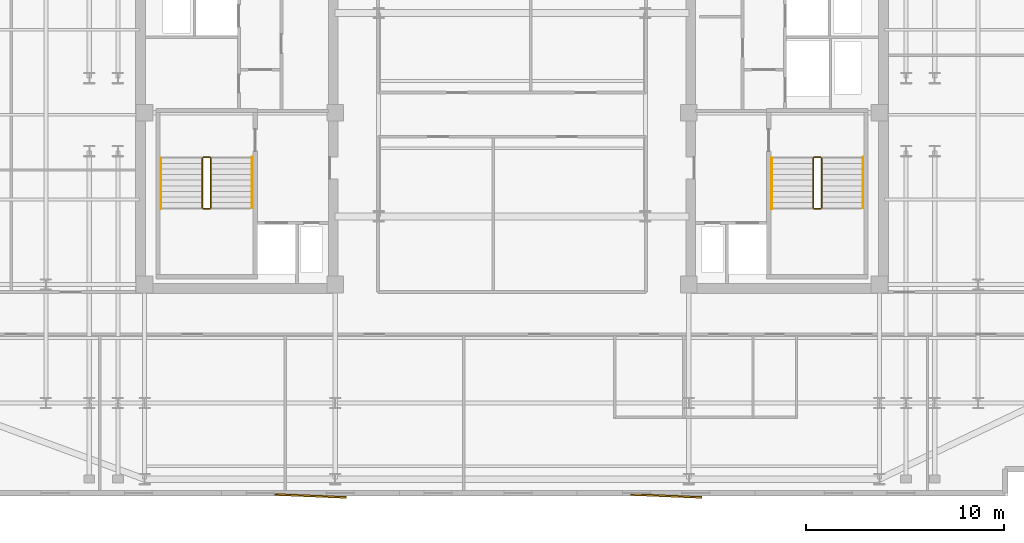
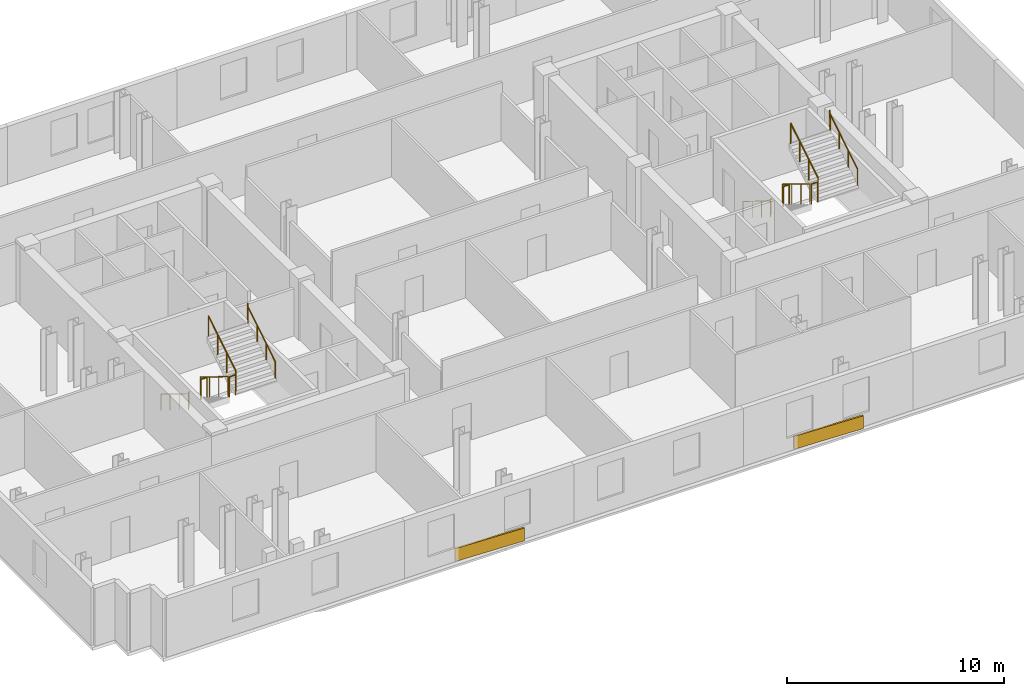
# One storey, part 8 of 9: 12 railings, 2 coverings.
"""IFC4 building model written with IfcOpenShell, lengths in metres."""

from ifc_helpers import new_model, si_unit, direction, frame, origin, origin_2d, place, context, subcontext, project, spatial, rectangle, circle, extrude, material, layer, layer_set, type_object, element, save


model = new_model("IFC4")

# Units and contexts
model_context = context("Model", 3, precision=1e-05, world=origin(), true_north=direction((0.0, 1.0)))
body_context = subcontext(model_context, "Body", "Model", "MODEL_VIEW")
ifc_project = project(units=[si_unit("LENGTHUNIT", "METRE"), si_unit("AREAUNIT", "SQUARE_METRE"), si_unit("VOLUMEUNIT", "CUBIC_METRE"), si_unit("PLANEANGLEUNIT", "RADIAN"), si_unit("MASSUNIT", "GRAM", prefix="KILO")], contexts=[model_context])

# Site, building, storey
site_placement = place(None, origin())
site = spatial("IfcSite", under=ifc_project, at=site_placement, CompositionType="ELEMENT")
building_placement = place(site_placement, origin())
building = spatial("IfcBuilding", under=site, at=building_placement, Name="Velakula Bourse", CompositionType="ELEMENT")
storey_placement = place(building_placement, frame((0.0, 0.0, 225.75)))
storey = spatial("IfcBuildingStorey", under=building, at=storey_placement, Name="L61", CompositionType="ELEMENT", Elevation=225.75)

# Coverings
ifc_material_1 = material(Name="Red kilned clay facing brick masonry", Category="masonry")
ifc_layer = layer(ifc_material_1, 0.090087890625, Name="Red kilned clay facing brick masonry", Category="masonry")
ifc_layer_set = layer_set([ifc_layer], Name="Red kilned clay facing brick masonry")
covering_type = type_object("IfcCoveringType", Name="COV-BRK-FOLD-90", PredefinedType="CLADDING", material=ifc_layer_set)
for number, where, z_axis, x_axis, name in (
    (1, (-10.199951171875, -19.300048828125, 0.0), (0.0, 0.0, 1.0), (0.999158993058, -0.041003738744, 0.0), "L61 Folded Brick Facade Cladding Panel S-B2"),
    (2, (7.800048828125, -19.300048828125, 0.0), (0.0, 0.0, 1.0), (0.999158993058, -0.041003738744, 0.0), "L61 Folded Brick Facade Cladding Panel S-B4"),
):
    element("IfcCovering", number, at=place(storey_placement, frame(where, z_axis=z_axis, x_axis=x_axis)), inside=storey, type_object=covering_type, Name=name, PredefinedType="CLADDING", context=body_context, shape_type="SweptSolid", body=[
        extrude(rectangle(XDim=3.60009765625, YDim=0.090087890625, at=origin_2d()), origin(), (0.0, 0.0, 1.0), 0.719970703125),
    ])

# Railings
ifc_material_2 = material(Name="Brushed grade 316 stainless steel", Category="steel")
railing_type_1 = type_object("IfcRailingType", Name="RLG-STAIR-GUARD-1150", PredefinedType="BALUSTRADE", material=ifc_material_2)
railing_1_placement = place(storey_placement, frame((-15.672119140625, -2.199951171875, 0.172607421875)))
element("IfcRailing", 3, at=railing_1_placement, inside=storey, type_object=railing_type_1, Name="L61 ST-W1 stair guard 1", PredefinedType="BALUSTRADE", context=body_context, shape_type="SweptSolid", body=[
    extrude(circle(Radius=0.02490234375, at=origin_2d()), frame((0.0, 0.0, 1.125), z_axis=(0.0, -0.851400495292, 0.524516154772), x_axis=(1.0, 0.0, 0.0)), (0.0, 0.0, 1.0), 2.9599609375),
    extrude(circle(Radius=0.02099609375, at=origin_2d()), origin(), (0.0, 0.0, 1.0), 1.099853515625),
    extrude(circle(Radius=0.02099609375, at=origin_2d()), frame((0.0, -0.840087890625, 0.517578125)), (0.0, 0.0, 1.0), 1.099853515625),
    extrude(circle(Radius=0.02099609375, at=origin_2d()), frame((0.0, -1.679931640625, 1.034912109375)), (0.0, 0.0, 1.0), 1.099853515625),
    extrude(circle(Radius=0.02099609375, at=origin_2d()), frame((0.0, -2.52001953125, 1.552490234375)), (0.0, 0.0, 1.0), 1.099853515625),
])
railing_2_placement = place(storey_placement, frame((-15.6220703125, -4.77001953125, 1.72509765625)))
element("IfcRailing", 4, at=railing_2_placement, inside=storey, type_object=railing_type_1, Name="L61 ST-W1 stair guard 2", PredefinedType="BALUSTRADE", context=body_context, shape_type="SweptSolid", body=[
    extrude(circle(Radius=0.02490234375, at=origin_2d()), frame((0.0, 0.0, 1.125), z_axis=(1.0, 0.0, 0.0), x_axis=(0.0, 1.0, 0.0)), (0.0, 0.0, 1.0), 0.323974609375),
    extrude(circle(Radius=0.02099609375, at=origin_2d()), origin(), (0.0, 0.0, 1.0), 1.099853515625),
    extrude(circle(Radius=0.02099609375, at=origin_2d()), frame((0.323974609375, 0.0, 0.0)), (0.0, 0.0, 1.0), 1.099853515625),
])
railing_3_placement = place(storey_placement, frame((-15.248046875, -4.719970703125, 1.8974609375)))
element("IfcRailing", 5, at=railing_3_placement, inside=storey, type_object=railing_type_1, Name="L61 ST-W1 stair guard 3", PredefinedType="BALUSTRADE", context=body_context, shape_type="SweptSolid", body=[
    extrude(circle(Radius=0.02490234375, at=origin_2d()), frame((0.0, 0.0, 1.125), z_axis=(0.0, 0.851400495292, 0.524516154772), x_axis=(-1.0, 0.0, 0.0)), (0.0, 0.0, 1.0), 2.9599609375),
    extrude(circle(Radius=0.02099609375, at=origin_2d()), origin(), (0.0, 0.0, 1.0), 1.099853515625),
    extrude(circle(Radius=0.02099609375, at=origin_2d()), frame((0.0, 0.840087890625, 0.517578125)), (0.0, 0.0, 1.0), 1.099853515625),
    extrude(circle(Radius=0.02099609375, at=origin_2d()), frame((0.0, 1.679931640625, 1.034912109375)), (0.0, 0.0, 1.0), 1.099853515625),
    extrude(circle(Radius=0.02099609375, at=origin_2d()), frame((0.0, 2.52001953125, 1.552490234375)), (0.0, 0.0, 1.0), 1.099853515625),
])
railing_4_placement = place(storey_placement, frame((-15.6220703125, -2.14990234375, 0.0)))
element("IfcRailing", 6, at=railing_4_placement, inside=storey, type_object=railing_type_1, Name="L61 ST-W1 stair guard 4", PredefinedType="BALUSTRADE", context=body_context, shape_type="SweptSolid", body=[
    extrude(circle(Radius=0.02490234375, at=origin_2d()), frame((0.0, 0.0, 1.125), z_axis=(1.0, 0.0, 0.0), x_axis=(0.0, 1.0, 0.0)), (0.0, 0.0, 1.0), 0.323974609375),
    extrude(circle(Radius=0.02099609375, at=origin_2d()), origin(), (0.0, 0.0, 1.0), 1.099853515625),
    extrude(circle(Radius=0.02099609375, at=origin_2d()), frame((0.323974609375, 0.0, 0.0)), (0.0, 0.0, 1.0), 1.099853515625),
])
railing_5_placement = place(storey_placement, frame((15.248046875, -2.199951171875, 0.172607421875)))
element("IfcRailing", 7, at=railing_5_placement, inside=storey, type_object=railing_type_1, Name="L61 ST-E1 stair guard 1", PredefinedType="BALUSTRADE", context=body_context, shape_type="SweptSolid", body=[
    extrude(circle(Radius=0.02490234375, at=origin_2d()), frame((0.0, 0.0, 1.125), z_axis=(0.0, -0.851400495292, 0.524516154772), x_axis=(1.0, 0.0, 0.0)), (0.0, 0.0, 1.0), 2.9599609375),
    extrude(circle(Radius=0.02099609375, at=origin_2d()), origin(), (0.0, 0.0, 1.0), 1.099853515625),
    extrude(circle(Radius=0.02099609375, at=origin_2d()), frame((0.0, -0.840087890625, 0.517578125)), (0.0, 0.0, 1.0), 1.099853515625),
    extrude(circle(Radius=0.02099609375, at=origin_2d()), frame((0.0, -1.679931640625, 1.034912109375)), (0.0, 0.0, 1.0), 1.099853515625),
    extrude(circle(Radius=0.02099609375, at=origin_2d()), frame((0.0, -2.52001953125, 1.552490234375)), (0.0, 0.0, 1.0), 1.099853515625),
])
railing_6_placement = place(storey_placement, frame((15.298095703125, -4.77001953125, 1.72509765625)))
element("IfcRailing", 8, at=railing_6_placement, inside=storey, type_object=railing_type_1, Name="L61 ST-E1 stair guard 2", PredefinedType="BALUSTRADE", context=body_context, shape_type="SweptSolid", body=[
    extrude(circle(Radius=0.02490234375, at=origin_2d()), frame((0.0, 0.0, 1.125), z_axis=(1.0, 0.0, 0.0), x_axis=(0.0, 1.0, 0.0)), (0.0, 0.0, 1.0), 0.323974609375),
    extrude(circle(Radius=0.02099609375, at=origin_2d()), origin(), (0.0, 0.0, 1.0), 1.099853515625),
    extrude(circle(Radius=0.02099609375, at=origin_2d()), frame((0.323974609375, 0.0, 0.0)), (0.0, 0.0, 1.0), 1.099853515625),
])
railing_7_placement = place(storey_placement, frame((15.672119140625, -4.719970703125, 1.8974609375)))
element("IfcRailing", 9, at=railing_7_placement, inside=storey, type_object=railing_type_1, Name="L61 ST-E1 stair guard 3", PredefinedType="BALUSTRADE", context=body_context, shape_type="SweptSolid", body=[
    extrude(circle(Radius=0.02490234375, at=origin_2d()), frame((0.0, 0.0, 1.125), z_axis=(0.0, 0.851400495292, 0.524516154772), x_axis=(-1.0, 0.0, 0.0)), (0.0, 0.0, 1.0), 2.9599609375),
    extrude(circle(Radius=0.02099609375, at=origin_2d()), origin(), (0.0, 0.0, 1.0), 1.099853515625),
    extrude(circle(Radius=0.02099609375, at=origin_2d()), frame((0.0, 0.840087890625, 0.517578125)), (0.0, 0.0, 1.0), 1.099853515625),
    extrude(circle(Radius=0.02099609375, at=origin_2d()), frame((0.0, 1.679931640625, 1.034912109375)), (0.0, 0.0, 1.0), 1.099853515625),
    extrude(circle(Radius=0.02099609375, at=origin_2d()), frame((0.0, 2.52001953125, 1.552490234375)), (0.0, 0.0, 1.0), 1.099853515625),
])
railing_8_placement = place(storey_placement, frame((15.298095703125, -2.14990234375, 0.0)))
element("IfcRailing", 10, at=railing_8_placement, inside=storey, type_object=railing_type_1, Name="L61 ST-E1 stair guard 4", PredefinedType="BALUSTRADE", context=body_context, shape_type="SweptSolid", body=[
    extrude(circle(Radius=0.02490234375, at=origin_2d()), frame((0.0, 0.0, 1.125), z_axis=(1.0, 0.0, 0.0), x_axis=(0.0, 1.0, 0.0)), (0.0, 0.0, 1.0), 0.323974609375),
    extrude(circle(Radius=0.02099609375, at=origin_2d()), origin(), (0.0, 0.0, 1.0), 1.099853515625),
    extrude(circle(Radius=0.02099609375, at=origin_2d()), frame((0.323974609375, 0.0, 0.0)), (0.0, 0.0, 1.0), 1.099853515625),
])
railing_type_2 = type_object("IfcRailingType", Name="RLG-STAIR-HAND-920", PredefinedType="HANDRAIL", material=ifc_material_2)
railing_9_placement = place(storey_placement, frame((-17.77001953125, -2.199951171875, 0.172607421875)))
element("IfcRailing", 11, at=railing_9_placement, inside=storey, type_object=railing_type_2, Name="L61 ST-W1 stair handrail 1", PredefinedType="HANDRAIL", context=body_context, shape_type="SweptSolid", body=[
    extrude(circle(Radius=0.02099609375, at=origin_2d()), frame((0.0, 0.0, 0.89892578125), z_axis=(0.0, -0.851400495292, 0.524516154772), x_axis=(1.0, 0.0, 0.0)), (0.0, 0.0, 1.0), 2.9599609375),
    extrude(circle(Radius=0.02099609375, at=origin_2d()), frame((0.0, -2.52001953125, 2.451416015625), z_axis=(0.0, -0.226269970362, 0.974064628509), x_axis=(1.0, 0.0, 0.0)), (0.0, 0.0, 1.0), 0.177001953125),
    extrude(circle(Radius=0.02099609375, at=origin_2d()), frame((0.0, -2.56005859375, 2.623779296875), z_axis=(0.0, -1.0, 0.0), x_axis=(1.0, 0.0, 0.0)), (0.0, 0.0, 1.0), 0.0048828125),
    extrude(circle(Radius=0.02099609375, at=origin_2d()), origin(), (0.0, 0.0, 1.0), 0.8779296875),
    extrude(circle(Radius=0.02099609375, at=origin_2d()), frame((0.0, -0.840087890625, 0.517578125)), (0.0, 0.0, 1.0), 0.8779296875),
    extrude(circle(Radius=0.02099609375, at=origin_2d()), frame((0.0, -1.679931640625, 1.034912109375)), (0.0, 0.0, 1.0), 0.8779296875),
    extrude(circle(Radius=0.02099609375, at=origin_2d()), frame((0.0, -2.52001953125, 1.552490234375)), (0.0, 0.0, 1.0), 0.8779296875),
    extrude(circle(Radius=0.02099609375, at=origin_2d()), frame((0.0, -2.56005859375, 1.724853515625)), (0.0, 0.0, 1.0), 0.8779296875),
    extrude(circle(Radius=0.02099609375, at=origin_2d()), frame((0.0, -2.56494140625, 1.724853515625)), (0.0, 0.0, 1.0), 0.8779296875),
])
railing_10_placement = place(storey_placement, frame((-13.14990234375, -4.719970703125, 1.8974609375)))
element("IfcRailing", 12, at=railing_10_placement, inside=storey, type_object=railing_type_2, Name="L61 ST-W1 stair handrail 2", PredefinedType="HANDRAIL", context=body_context, shape_type="SweptSolid", body=[
    extrude(circle(Radius=0.02099609375, at=origin_2d()), frame((0.0, 0.0, 0.89892578125), z_axis=(0.0, 0.851400495292, 0.524516154772), x_axis=(-1.0, 0.0, 0.0)), (0.0, 0.0, 1.0), 2.9599609375),
    extrude(circle(Radius=0.02099609375, at=origin_2d()), frame((0.0, 2.52001953125, 2.451416015625), z_axis=(0.0, 0.22596628056, 0.974135124123), x_axis=(-1.0, 0.0, 0.0)), (0.0, 0.0, 1.0), 0.17724609375),
    extrude(circle(Radius=0.02099609375, at=origin_2d()), frame((0.0, 2.56005859375, 2.6240234375), z_axis=(0.0, 1.0, 0.0), x_axis=(-1.0, 0.0, 0.0)), (0.0, 0.0, 1.0), 0.0048828125),
    extrude(circle(Radius=0.02099609375, at=origin_2d()), origin(), (0.0, 0.0, 1.0), 0.8779296875),
    extrude(circle(Radius=0.02099609375, at=origin_2d()), frame((0.0, 0.840087890625, 0.517578125)), (0.0, 0.0, 1.0), 0.8779296875),
    extrude(circle(Radius=0.02099609375, at=origin_2d()), frame((0.0, 1.679931640625, 1.034912109375)), (0.0, 0.0, 1.0), 0.8779296875),
    extrude(circle(Radius=0.02099609375, at=origin_2d()), frame((0.0, 2.52001953125, 1.552490234375)), (0.0, 0.0, 1.0), 0.8779296875),
    extrude(circle(Radius=0.02099609375, at=origin_2d()), frame((0.0, 2.56005859375, 1.72509765625)), (0.0, 0.0, 1.0), 0.8779296875),
    extrude(circle(Radius=0.02099609375, at=origin_2d()), frame((0.0, 2.56494140625, 1.72509765625)), (0.0, 0.0, 1.0), 0.8779296875),
])
railing_11_placement = place(storey_placement, frame((13.14990234375, -2.199951171875, 0.172607421875)))
element("IfcRailing", 13, at=railing_11_placement, inside=storey, type_object=railing_type_2, Name="L61 ST-E1 stair handrail 1", PredefinedType="HANDRAIL", context=body_context, shape_type="SweptSolid", body=[
    extrude(circle(Radius=0.02099609375, at=origin_2d()), frame((0.0, 0.0, 0.89892578125), z_axis=(0.0, -0.851400495292, 0.524516154772), x_axis=(1.0, 0.0, 0.0)), (0.0, 0.0, 1.0), 2.9599609375),
    extrude(circle(Radius=0.02099609375, at=origin_2d()), frame((0.0, -2.52001953125, 2.451416015625), z_axis=(0.0, -0.226269970362, 0.974064628509), x_axis=(1.0, 0.0, 0.0)), (0.0, 0.0, 1.0), 0.177001953125),
    extrude(circle(Radius=0.02099609375, at=origin_2d()), frame((0.0, -2.56005859375, 2.623779296875), z_axis=(0.0, -1.0, 0.0), x_axis=(1.0, 0.0, 0.0)), (0.0, 0.0, 1.0), 0.0048828125),
    extrude(circle(Radius=0.02099609375, at=origin_2d()), origin(), (0.0, 0.0, 1.0), 0.8779296875),
    extrude(circle(Radius=0.02099609375, at=origin_2d()), frame((0.0, -0.840087890625, 0.517578125)), (0.0, 0.0, 1.0), 0.8779296875),
    extrude(circle(Radius=0.02099609375, at=origin_2d()), frame((0.0, -1.679931640625, 1.034912109375)), (0.0, 0.0, 1.0), 0.8779296875),
    extrude(circle(Radius=0.02099609375, at=origin_2d()), frame((0.0, -2.52001953125, 1.552490234375)), (0.0, 0.0, 1.0), 0.8779296875),
    extrude(circle(Radius=0.02099609375, at=origin_2d()), frame((0.0, -2.56005859375, 1.724853515625)), (0.0, 0.0, 1.0), 0.8779296875),
    extrude(circle(Radius=0.02099609375, at=origin_2d()), frame((0.0, -2.56494140625, 1.724853515625)), (0.0, 0.0, 1.0), 0.8779296875),
])
railing_12_placement = place(storey_placement, frame((17.77001953125, -4.719970703125, 1.8974609375)))
element("IfcRailing", 14, at=railing_12_placement, inside=storey, type_object=railing_type_2, Name="L61 ST-E1 stair handrail 2", PredefinedType="HANDRAIL", context=body_context, shape_type="SweptSolid", body=[
    extrude(circle(Radius=0.02099609375, at=origin_2d()), frame((0.0, 0.0, 0.89892578125), z_axis=(0.0, 0.851400495292, 0.524516154772), x_axis=(-1.0, 0.0, 0.0)), (0.0, 0.0, 1.0), 2.9599609375),
    extrude(circle(Radius=0.02099609375, at=origin_2d()), frame((0.0, 2.52001953125, 2.451416015625), z_axis=(0.0, 0.22596628056, 0.974135124123), x_axis=(-1.0, 0.0, 0.0)), (0.0, 0.0, 1.0), 0.17724609375),
    extrude(circle(Radius=0.02099609375, at=origin_2d()), frame((0.0, 2.56005859375, 2.6240234375), z_axis=(0.0, 1.0, 0.0), x_axis=(-1.0, 0.0, 0.0)), (0.0, 0.0, 1.0), 0.0048828125),
    extrude(circle(Radius=0.02099609375, at=origin_2d()), origin(), (0.0, 0.0, 1.0), 0.8779296875),
    extrude(circle(Radius=0.02099609375, at=origin_2d()), frame((0.0, 0.840087890625, 0.517578125)), (0.0, 0.0, 1.0), 0.8779296875),
    extrude(circle(Radius=0.02099609375, at=origin_2d()), frame((0.0, 1.679931640625, 1.034912109375)), (0.0, 0.0, 1.0), 0.8779296875),
    extrude(circle(Radius=0.02099609375, at=origin_2d()), frame((0.0, 2.52001953125, 1.552490234375)), (0.0, 0.0, 1.0), 0.8779296875),
    extrude(circle(Radius=0.02099609375, at=origin_2d()), frame((0.0, 2.56005859375, 1.72509765625)), (0.0, 0.0, 1.0), 0.8779296875),
    extrude(circle(Radius=0.02099609375, at=origin_2d()), frame((0.0, 2.56494140625, 1.72509765625)), (0.0, 0.0, 1.0), 0.8779296875),
])

save(model, "model.ifc")
